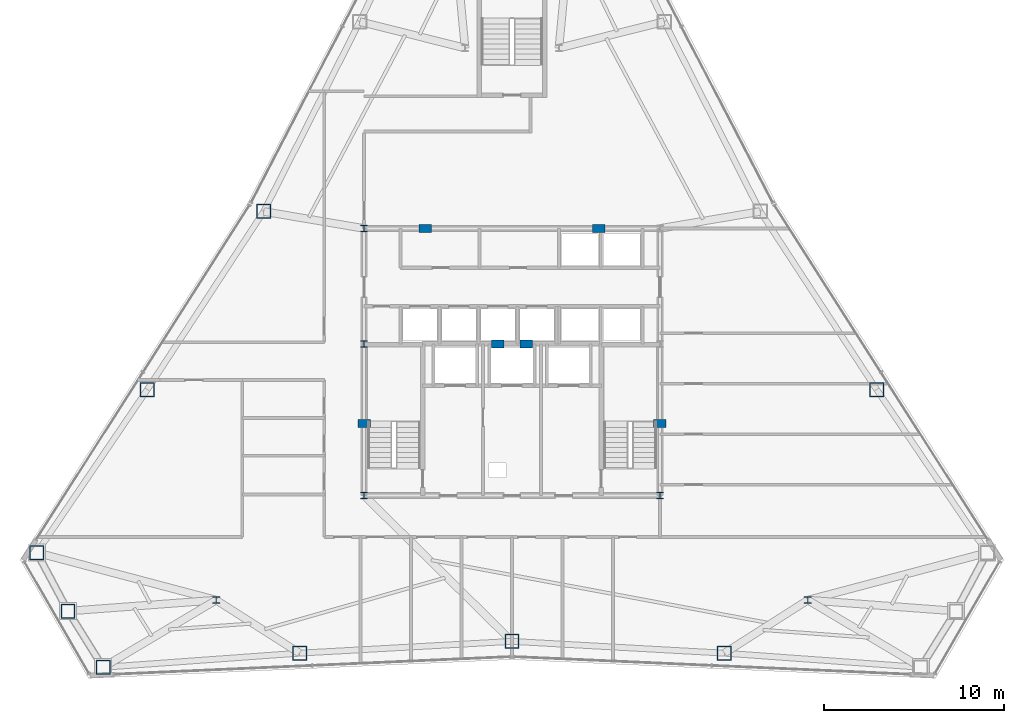
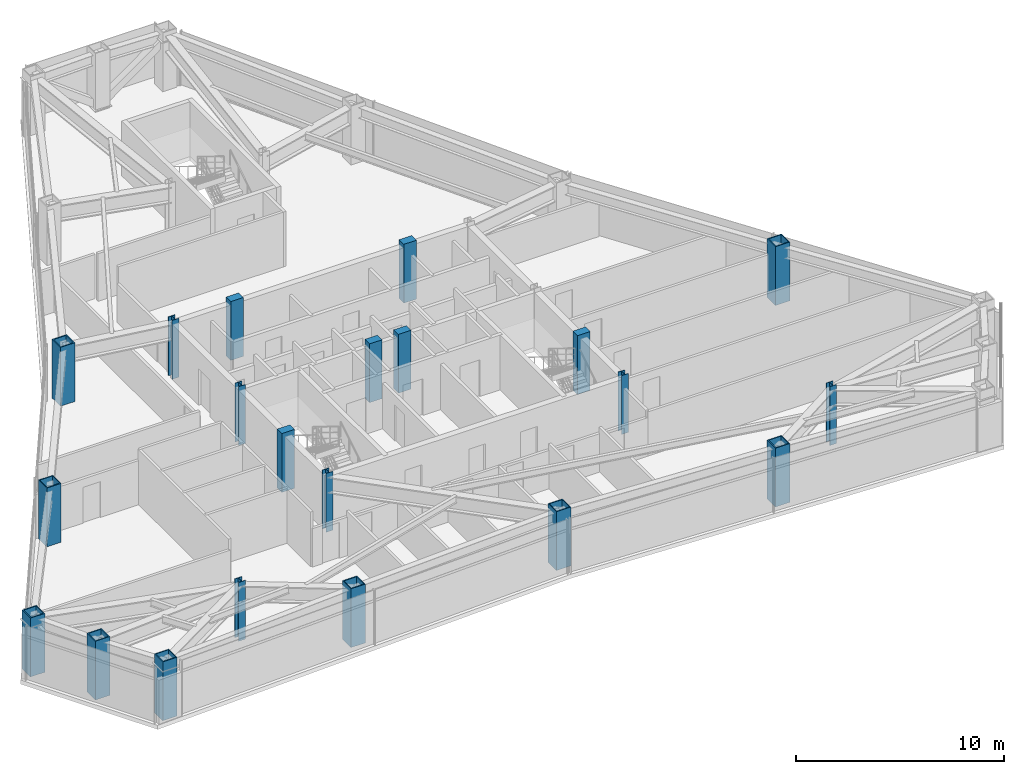
# One storey, part 1 of 13: 21 columns.
"""IFC4 building model written with IfcOpenShell, lengths in metres."""

from ifc_helpers import new_model, si_unit, direction, frame, origin, origin_2d, place, context, subcontext, project, spatial, rectangle, hollow_rectangle, i_section, extrude, material, material_profile, profile_set, type_object, element, save


model = new_model("IFC4")

# Units and contexts
model_context = context("Model", 3, precision=1e-05, world=origin(), true_north=direction((0.0, 1.0)))
body_context = subcontext(model_context, "Body", "Model", "MODEL_VIEW")
ifc_project = project(units=[si_unit("LENGTHUNIT", "METRE"), si_unit("AREAUNIT", "SQUARE_METRE"), si_unit("VOLUMEUNIT", "CUBIC_METRE"), si_unit("PLANEANGLEUNIT", "RADIAN"), si_unit("MASSUNIT", "GRAM", prefix="KILO")], contexts=[model_context])

# Site, building, storey
site_placement = place(None, origin())
site = spatial("IfcSite", under=ifc_project, at=site_placement, CompositionType="ELEMENT")
building_placement = place(site_placement, origin())
building = spatial("IfcBuilding", under=site, at=building_placement, Name="Varakhsha Concourse Tower", CompositionType="ELEMENT")
storey_placement = place(building_placement, frame((0.0, 0.0, 186.14990234375)))
storey = spatial("IfcBuildingStorey", under=building, at=storey_placement, Name="L53", CompositionType="ELEMENT", Elevation=186.14990234375)

# Columns
ifc_material_1 = material(Name="Structural Steel ASTM A992 Grade 50", Category="steel")
ifc_material_profile_1 = material_profile(ifc_material_1, i_section(OverallWidth=0.3740234375, OverallDepth=0.3720703125, WebThickness=0.01611328125, FlangeThickness=0.02587890625, at=origin_2d()), Name="W14X132")
ifc_profile_set_1 = profile_set([ifc_material_profile_1], Name="Structural Steel ASTM A992 Grade 50")
column_type_1 = type_object("IfcColumnType", Name="CL-CORE-W14X132", PredefinedType="COLUMN", material=ifc_profile_set_1)
for number, where, z_axis, x_axis, name in (
    (1, (31.800048828125, 16.39990234375, 0.0), (0.0, 0.0, 1.0), (1.0, 0.0, 0.0), "L53 Core Column CC-SW"),
    (2, (48.199951171875, 16.39990234375, 0.0), (0.0, 0.0, 1.0), (1.0, 0.0, 0.0), "L53 Core Column CC-SE"),
    (3, (31.800048828125, 24.800048828125, 0.0), (0.0, 0.0, 1.0), (1.0, 0.0, 0.0), "L53 Core Column CC-MW"),
    (4, (31.800048828125, 31.199951171875, 0.0), (0.0, 0.0, 1.0), (1.0, 0.0, 0.0), "L53 Core Column CC-NW"),
    (5, (23.60009765625, 10.60009765625, 0.0), (0.0, 0.0, 1.0), (1.0, 0.0, 0.0), "L53 Core Column SS-W"),
    (6, (56.39990234375, 10.60009765625, 0.0), (0.0, 0.0, 1.0), (1.0, 0.0, 0.0), "L53 Core Column SS-E"),
):
    element("IfcColumn", number, at=place(storey_placement, frame(where, z_axis=z_axis, x_axis=x_axis)), inside=storey, type_object=column_type_1, Name=name, PredefinedType="COLUMN", context=body_context, shape_type="SweptSolid", body=[
        extrude(i_section(OverallWidth=0.3740234375, OverallDepth=0.3720703125, WebThickness=0.01611328125, FlangeThickness=0.02587890625, at=origin_2d()), origin(), (0.0, 0.0, 1.0), 3.4501953125),
    ])
ifc_material_2 = material(Name="Concrete fc 65 MPa", Category="concrete")
ifc_material_profile_2 = material_profile(ifc_material_2, rectangle(XDim=0.699951171875, YDim=0.449951171875, at=origin_2d()), Name="RC 700x450")
ifc_profile_set_2 = profile_set([ifc_material_profile_2], Name="Concrete fc 65 MPa")
column_type_2 = type_object("IfcColumnType", Name="CL-PIL-700X450", PredefinedType="PILASTER", material=ifc_profile_set_2)
for number, where, z_axis, x_axis, name in (
    (7, (31.800048828125, 20.39990234375, 0.0), (0.0, 0.0, 1.0), (1.0, 0.0, 0.0), "L53 Core Boundary Pilaster PIL-W1"),
    (8, (48.199951171875, 20.39990234375, 0.0), (0.0, 0.0, 1.0), (1.0, 0.0, 0.0), "L53 Core Boundary Pilaster PIL-E1"),
    (9, (35.199951171875, 31.199951171875, 0.0), (0.0, 0.0, 1.0), (1.0, 0.0, 0.0), "L53 Core Boundary Pilaster PIL-N1"),
    (10, (44.800048828125, 31.199951171875, 0.0), (0.0, 0.0, 1.0), (1.0, 0.0, 0.0), "L53 Core Boundary Pilaster PIL-N2"),
    (11, (39.199951171875, 24.800048828125, 0.0), (0.0, 0.0, 1.0), (1.0, 0.0, 0.0), "L53 Core Boundary Pilaster PIL-M1"),
    (12, (40.800048828125, 24.800048828125, 0.0), (0.0, 0.0, 1.0), (1.0, 0.0, 0.0), "L53 Core Boundary Pilaster PIL-M2"),
):
    element("IfcColumn", number, at=place(storey_placement, frame(where, z_axis=z_axis, x_axis=x_axis)), inside=storey, type_object=column_type_2, Name=name, PredefinedType="PILASTER", context=body_context, shape_type="SweptSolid", body=[
        extrude(rectangle(XDim=0.699951171875, YDim=0.449951171875, at=origin_2d()), origin(), (0.0, 0.0, 1.0), 3.4501953125),
    ])
ifc_material_3 = material(Name="Structural Steel ASTM A572 Grade 50", Category="steel")
ifc_material_profile_3 = material_profile(ifc_material_3, hollow_rectangle(XDim=0.800048828125, YDim=0.800048828125, WallThickness=0.054931640625, at=origin_2d()), Name="BOX 800x800x55")
ifc_profile_set_3 = profile_set([ifc_material_profile_3], Name="Structural Steel ASTM A572 Grade 50")
column_type_3 = type_object("IfcColumnType", Name="CL-TUBE-800", PredefinedType="COLUMN", material=ifc_profile_set_3)
for number, where, z_axis, x_axis, name in (
    (13, (26.240966796875, 32.143798828125, 0.0), (0.0, 0.0, 1.0), (1.0, 0.0, 0.0), "L53 Framed-Tube Column TC05"),
    (14, (19.78759765625, 22.2724609375, 0.0), (0.0, 0.0, 1.0), (1.0, 0.0, 0.0), "L53 Framed-Tube Column TC06"),
    (15, (13.6611328125, 13.23095703125, 0.0), (0.0, 0.0, 1.0), (1.0, 0.0, 0.0), "L53 Framed-Tube Column TC07"),
    (16, (15.38916015625, 9.990966796875, 0.0), (0.0, 0.0, 1.0), (1.0, 0.0, 0.0), "L53 Framed-Tube Column TC08"),
    (17, (17.3310546875, 6.87451171875, 0.0), (0.0, 0.0, 1.0), (1.0, 0.0, 0.0), "L53 Framed-Tube Column TC09"),
    (18, (28.224609375, 7.659423828125, 0.0), (0.0, 0.0, 1.0), (1.0, 0.0, 0.0), "L53 Framed-Tube Column TC10"),
    (19, (40.0, 8.3125, 0.0), (0.0, 0.0, 1.0), (1.0, 0.0, 0.0), "L53 Framed-Tube Column TC11"),
    (20, (51.775390625, 7.659423828125, 0.0), (0.0, 0.0, 1.0), (1.0, 0.0, 0.0), "L53 Framed-Tube Column TC12"),
    (21, (60.21240234375, 22.2724609375, 0.0), (0.0, 0.0, 1.0), (1.0, 0.0, 0.0), "L53 Framed-Tube Column TC16"),
):
    element("IfcColumn", number, at=place(storey_placement, frame(where, z_axis=z_axis, x_axis=x_axis)), inside=storey, type_object=column_type_3, Name=name, PredefinedType="COLUMN", context=body_context, shape_type="SweptSolid", body=[
        extrude(hollow_rectangle(XDim=0.800048828125, YDim=0.800048828125, WallThickness=0.054931640625, at=origin_2d()), origin(), (0.0, 0.0, 1.0), 3.4501953125),
    ])

save(model, "model.ifc")
